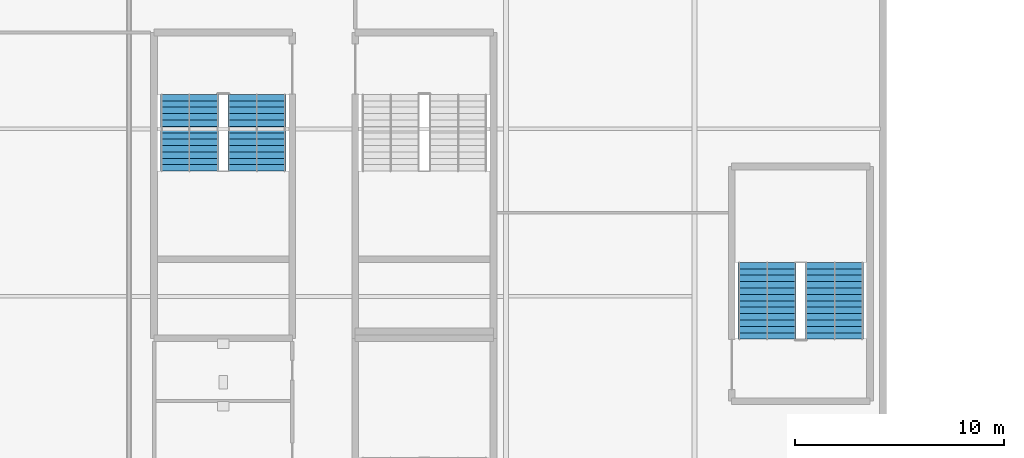
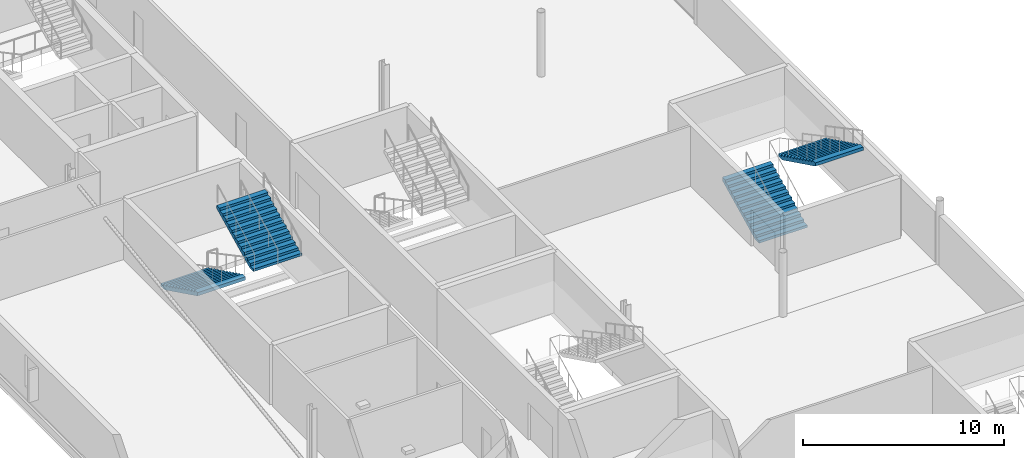
# One storey, part 82 of 96: 4 stair flights, 2 elements without a shape of their own.
"""IFC4 building model written with IfcOpenShell, lengths in metres."""

from ifc_helpers import new_model, si_unit, direction, frame, origin, place, context, subcontext, project, spatial, polygons, material, type_object, element, aggregate, save


model = new_model("IFC4")

# Units and contexts
model_context = context("Model", 3, precision=1e-05, world=origin(), true_north=direction((0.0, 1.0)))
body_context = subcontext(model_context, "Body", "Model", "MODEL_VIEW")
ifc_project = project(units=[si_unit("LENGTHUNIT", "METRE"), si_unit("AREAUNIT", "SQUARE_METRE"), si_unit("VOLUMEUNIT", "CUBIC_METRE"), si_unit("PLANEANGLEUNIT", "RADIAN"), si_unit("MASSUNIT", "GRAM", prefix="KILO")], contexts=[model_context])

# Site, building, storey
site_placement = place(None, origin())
site = spatial("IfcSite", under=ifc_project, at=site_placement, CompositionType="ELEMENT")
building_placement = place(site_placement, origin())
building = spatial("IfcBuilding", under=site, at=building_placement, Name="Kisiwana Market Hall", CompositionType="ELEMENT")
storey_placement = place(building_placement, frame((0.0, 0.0, 25.5)))
storey = spatial("IfcBuildingStorey", under=building, at=storey_placement, Name="L05", CompositionType="ELEMENT", Elevation=25.5)

# Stair, stair flights
ifc_material_1 = material(Name="Concrete C32/40", Category="concrete")
stair_type = type_object("IfcStairType", Name="ST-ESC-3900", PredefinedType="TWO_STRAIGHT_RUN_STAIR", material=ifc_material_1)
stair_1_placement = place(storey_placement, origin())
stair_1 = element("IfcStair", 1, at=stair_1_placement, inside=storey, type_object=stair_type, Name="Escape stair ST-W4-L05", PredefinedType="TWO_STRAIGHT_RUN_STAIR")
ifc_material_2 = material(Name="Concrete C32/40", Category="concrete")
stair_flight_type = type_object("IfcStairFlightType", Name="SF-ESC-3900", PredefinedType="STRAIGHT", material=ifc_material_2)
stair_flight_1_placement = place(storey_placement, frame((11.889892578125, 77.639892578125, 0.0), z_axis=(0.0, 0.0, 1.0), x_axis=(0.0, -1.0, 0.0)))
stair_flight_1 = element("IfcStairFlight", 2, at=stair_flight_1_placement, type_object=stair_flight_type, Name="ST-W4-L05 flight 1", NumberOfRisers=13, NumberOfTreads=12, PredefinedType="STRAIGHT", RiserHeight=0.15, TreadLength=0.305, context=body_context, shape_type="Tessellation", body=[
    polygons([(0.0, -1.380127, 0.0), (0.0, -0.690125, 0.0), (0.0, -0.000122, 0.0), (0.0, 0.68988, 0.0), (0.0, 1.379883, 0.0), (0.0, -1.380127, 0.149902), (0.0, -0.690125, 0.149902), (0.0, -0.000122, 0.149902), (0.0, 0.68988, 0.149902), (0.0, 1.379883, 0.149902), (0.304932, -1.380127, 0.149902), (0.304932, -0.690125, 0.149902), (0.304932, -0.000122, 0.149902), (0.304932, 0.68988, 0.149902), (0.304932, 1.379883, 0.149902), (0.304932, -1.380127, 0.300049), (0.304932, -0.690125, 0.300049), (0.304932, -0.000122, 0.300049), (0.304932, 0.68988, 0.300049), (0.304932, 1.379883, 0.300049), (0.610107, -1.380127, 0.300049), (0.610107, -0.690125, 0.300049), (0.610107, -0.000122, 0.300049), (0.610107, 0.68988, 0.300049), (0.610107, 1.379883, 0.300049), (0.610107, -1.380127, 0.449951), (0.610107, -0.690125, 0.449951), (0.610107, -0.000122, 0.449951), (0.610107, 0.68988, 0.449951), (0.610107, 1.379883, 0.449951), (0.915039, -1.380127, 0.449951), (0.915039, -0.690125, 0.449951), (0.915039, -0.000122, 0.449951), (0.915039, 0.68988, 0.449951), (0.915039, 1.379883, 0.449951), (0.915039, -1.380127, 0.600098), (0.915039, -0.690125, 0.600098), (0.915039, -0.000122, 0.600098), (0.915039, 0.68988, 0.600098), (0.915039, 1.379883, 0.600098), (1.219971, -1.380127, 0.600098), (1.219971, -0.690125, 0.600098), (1.219971, -0.000122, 0.600098), (1.219971, 0.68988, 0.600098), (1.219971, 1.379883, 0.600098), (1.219971, -1.380127, 0.75), (1.219971, -0.690125, 0.75), (1.219971, -0.000122, 0.75), (1.219971, 0.68988, 0.75), (1.219971, 1.379883, 0.75), (1.524902, -1.380127, 0.75), (1.524902, -0.690125, 0.75), (1.524902, -0.000122, 0.75), (1.524902, 0.68988, 0.75), (1.524902, 1.379883, 0.75), (1.524902, -1.380127, 0.899902), (1.524902, -0.690125, 0.899902), (1.524902, -0.000122, 0.899902), (1.524902, 0.68988, 0.899902), (1.524902, 1.379883, 0.899902), (1.830078, -1.380127, 0.899902), (1.830078, -0.690125, 0.899902), (1.830078, -0.000122, 0.899902), (1.830078, 0.68988, 0.899902), (1.830078, 1.379883, 0.899902), (1.830078, -1.380127, 1.050049), (1.830078, -0.690125, 1.050049), (1.830078, -0.000122, 1.050049), (1.830078, 0.68988, 1.050049), (1.830078, 1.379883, 1.050049), (2.13501, -1.380127, 1.050049), (2.13501, -0.690125, 1.050049), (2.13501, -0.000122, 1.050049), (2.13501, 0.68988, 1.050049), (2.13501, 1.379883, 1.050049), (2.13501, -1.380127, 1.199951), (2.13501, -0.690125, 1.199951), (2.13501, -0.000122, 1.199951), (2.13501, 0.68988, 1.199951), (2.13501, 1.379883, 1.199951), (2.439941, -1.380127, 1.199951), (2.439941, -0.690125, 1.199951), (2.439941, -0.000122, 1.199951), (2.439941, 0.68988, 1.199951), (2.439941, 1.379883, 1.199951), (2.439941, -1.380127, 1.350098), (2.439941, -0.690125, 1.350098), (2.439941, -0.000122, 1.350098), (2.439941, 0.68988, 1.350098), (2.439941, 1.379883, 1.350098), (2.745117, -1.380127, 1.350098), (2.745117, -0.690125, 1.350098), (2.745117, -0.000122, 1.350098), (2.745117, 0.68988, 1.350098), (2.745117, 1.379883, 1.350098), (2.745117, -1.380127, 1.5), (2.745117, -0.690125, 1.5), (2.745117, -0.000122, 1.5), (2.745117, 0.68988, 1.5), (2.745117, 1.379883, 1.5), (3.050049, -1.380127, 1.5), (3.050049, -0.690125, 1.5), (3.050049, -0.000122, 1.5), (3.050049, 0.68988, 1.5), (3.050049, 1.379883, 1.5), (3.050049, -1.380127, 1.649902), (3.050049, -0.690125, 1.649902), (3.050049, -0.000122, 1.649902), (3.050049, 0.68988, 1.649902), (3.050049, 1.379883, 1.649902), (3.35498, -1.380127, 1.649902), (3.35498, -0.690125, 1.649902), (3.35498, -0.000122, 1.649902), (3.35498, 0.68988, 1.649902), (3.35498, 1.379883, 1.649902), (3.35498, -1.380127, 1.800049), (3.35498, -0.690125, 1.800049), (3.35498, -0.000122, 1.800049), (3.35498, 0.68988, 1.800049), (3.35498, 1.379883, 1.800049), (3.659912, -1.380127, 1.800049), (3.659912, -0.690125, 1.800049), (3.659912, -0.000122, 1.800049), (3.659912, 0.68988, 1.800049), (3.659912, 1.379883, 1.800049), (3.659912, -1.380127, 1.599365), (3.659912, -0.690125, 1.599365), (3.659912, -0.000122, 1.599365), (3.659912, 0.68988, 1.599365), (3.659912, 1.379883, 1.599365), (0.407715, -1.380127, 0.0), (0.407715, -0.690125, 0.0), (0.407715, -0.000122, 0.0), (0.407715, 0.68988, 0.0), (0.407715, 1.379883, 0.0)], [[[1, 6, 7, 2]], [[2, 7, 8, 3]], [[3, 8, 9, 4]], [[4, 9, 10, 5]], [[6, 11, 12, 7]], [[7, 12, 13, 8]], [[8, 13, 14, 9]], [[9, 14, 15, 10]], [[11, 16, 17, 12]], [[12, 17, 18, 13]], [[13, 18, 19, 14]], [[14, 19, 20, 15]], [[16, 21, 22, 17]], [[17, 22, 23, 18]], [[18, 23, 24, 19]], [[19, 24, 25, 20]], [[21, 26, 27, 22]], [[22, 27, 28, 23]], [[23, 28, 29, 24]], [[24, 29, 30, 25]], [[26, 31, 32, 27]], [[27, 32, 33, 28]], [[28, 33, 34, 29]], [[29, 34, 35, 30]], [[31, 36, 37, 32]], [[32, 37, 38, 33]], [[33, 38, 39, 34]], [[34, 39, 40, 35]], [[36, 41, 42, 37]], [[37, 42, 43, 38]], [[38, 43, 44, 39]], [[39, 44, 45, 40]], [[41, 46, 47, 42]], [[42, 47, 48, 43]], [[43, 48, 49, 44]], [[44, 49, 50, 45]], [[46, 51, 52, 47]], [[47, 52, 53, 48]], [[48, 53, 54, 49]], [[49, 54, 55, 50]], [[51, 56, 57, 52]], [[52, 57, 58, 53]], [[53, 58, 59, 54]], [[54, 59, 60, 55]], [[56, 61, 62, 57]], [[57, 62, 63, 58]], [[58, 63, 64, 59]], [[59, 64, 65, 60]], [[61, 66, 67, 62]], [[62, 67, 68, 63]], [[63, 68, 69, 64]], [[64, 69, 70, 65]], [[66, 71, 72, 67]], [[67, 72, 73, 68]], [[68, 73, 74, 69]], [[69, 74, 75, 70]], [[71, 76, 77, 72]], [[72, 77, 78, 73]], [[73, 78, 79, 74]], [[74, 79, 80, 75]], [[76, 81, 82, 77]], [[77, 82, 83, 78]], [[78, 83, 84, 79]], [[79, 84, 85, 80]], [[81, 86, 87, 82]], [[82, 87, 88, 83]], [[83, 88, 89, 84]], [[84, 89, 90, 85]], [[86, 91, 92, 87]], [[87, 92, 93, 88]], [[88, 93, 94, 89]], [[89, 94, 95, 90]], [[91, 96, 97, 92]], [[92, 97, 98, 93]], [[93, 98, 99, 94]], [[94, 99, 100, 95]], [[96, 101, 102, 97]], [[97, 102, 103, 98]], [[98, 103, 104, 99]], [[99, 104, 105, 100]], [[101, 106, 107, 102]], [[102, 107, 108, 103]], [[103, 108, 109, 104]], [[104, 109, 110, 105]], [[106, 111, 112, 107]], [[107, 112, 113, 108]], [[108, 113, 114, 109]], [[109, 114, 115, 110]], [[111, 116, 117, 112]], [[112, 117, 118, 113]], [[113, 118, 119, 114]], [[114, 119, 120, 115]], [[116, 121, 122, 117]], [[117, 122, 123, 118]], [[118, 123, 124, 119]], [[119, 124, 125, 120]], [[121, 126, 127, 122]], [[122, 127, 128, 123]], [[123, 128, 129, 124]], [[124, 129, 130, 125]], [[126, 131, 132, 127]], [[127, 132, 133, 128]], [[128, 133, 134, 129]], [[129, 134, 135, 130]], [[131, 1, 2, 132]], [[132, 2, 3, 133]], [[133, 3, 4, 134]], [[134, 4, 5, 135]], [[131, 126, 121, 116, 111, 106, 101, 96, 91, 86, 81, 76, 71, 66, 61, 56, 51, 46, 41, 36, 31, 26, 21, 16, 11, 6, 1]], [[5, 10, 15, 20, 25, 30, 35, 40, 45, 50, 55, 60, 65, 70, 75, 80, 85, 90, 95, 100, 105, 110, 115, 120, 125, 130, 135]]], closed=True),
])
stair_flight_2_placement = place(storey_placement, frame((15.110107421875, 73.97998046875, 1.949951171875), z_axis=(0.0, 0.0, 1.0), x_axis=(0.0, 1.0, 0.0)))
stair_flight_2 = element("IfcStairFlight", 3, at=stair_flight_2_placement, type_object=stair_flight_type, Name="ST-W4-L05 flight 2", NumberOfRisers=13, NumberOfTreads=12, PredefinedType="STRAIGHT", RiserHeight=0.15, TreadLength=0.305, context=body_context, shape_type="Tessellation", body=[
    polygons([(0.0, -1.380127, 0.0), (0.0, -0.690125, 0.0), (0.0, -0.000122, 0.0), (0.0, 0.68988, 0.0), (0.0, 1.379883, 0.0), (0.0, -1.380127, 0.149902), (0.0, -0.690125, 0.149902), (0.0, -0.000122, 0.149902), (0.0, 0.68988, 0.149902), (0.0, 1.379883, 0.149902), (0.304932, -1.380127, 0.149902), (0.304932, -0.690125, 0.149902), (0.304932, -0.000122, 0.149902), (0.304932, 0.68988, 0.149902), (0.304932, 1.379883, 0.149902), (0.304932, -1.380127, 0.300049), (0.304932, -0.690125, 0.300049), (0.304932, -0.000122, 0.300049), (0.304932, 0.68988, 0.300049), (0.304932, 1.379883, 0.300049), (0.610107, -1.380127, 0.300049), (0.610107, -0.690125, 0.300049), (0.610107, -0.000122, 0.300049), (0.610107, 0.68988, 0.300049), (0.610107, 1.379883, 0.300049), (0.610107, -1.380127, 0.449951), (0.610107, -0.690125, 0.449951), (0.610107, -0.000122, 0.449951), (0.610107, 0.68988, 0.449951), (0.610107, 1.379883, 0.449951), (0.915039, -1.380127, 0.449951), (0.915039, -0.690125, 0.449951), (0.915039, -0.000122, 0.449951), (0.915039, 0.68988, 0.449951), (0.915039, 1.379883, 0.449951), (0.915039, -1.380127, 0.600098), (0.915039, -0.690125, 0.600098), (0.915039, -0.000122, 0.600098), (0.915039, 0.68988, 0.600098), (0.915039, 1.379883, 0.600098), (1.219971, -1.380127, 0.600098), (1.219971, -0.690125, 0.600098), (1.219971, -0.000122, 0.600098), (1.219971, 0.68988, 0.600098), (1.219971, 1.379883, 0.600098), (1.219971, -1.380127, 0.75), (1.219971, -0.690125, 0.75), (1.219971, -0.000122, 0.75), (1.219971, 0.68988, 0.75), (1.219971, 1.379883, 0.75), (1.524902, -1.380127, 0.75), (1.524902, -0.690125, 0.75), (1.524902, -0.000122, 0.75), (1.524902, 0.68988, 0.75), (1.524902, 1.379883, 0.75), (1.524902, -1.380127, 0.899902), (1.524902, -0.690125, 0.899902), (1.524902, -0.000122, 0.899902), (1.524902, 0.68988, 0.899902), (1.524902, 1.379883, 0.899902), (1.830078, -1.380127, 0.899902), (1.830078, -0.690125, 0.899902), (1.830078, -0.000122, 0.899902), (1.830078, 0.68988, 0.899902), (1.830078, 1.379883, 0.899902), (1.830078, -1.380127, 1.050049), (1.830078, -0.690125, 1.050049), (1.830078, -0.000122, 1.050049), (1.830078, 0.68988, 1.050049), (1.830078, 1.379883, 1.050049), (2.13501, -1.380127, 1.050049), (2.13501, -0.690125, 1.050049), (2.13501, -0.000122, 1.050049), (2.13501, 0.68988, 1.050049), (2.13501, 1.379883, 1.050049), (2.13501, -1.380127, 1.199951), (2.13501, -0.690125, 1.199951), (2.13501, -0.000122, 1.199951), (2.13501, 0.68988, 1.199951), (2.13501, 1.379883, 1.199951), (2.439941, -1.380127, 1.199951), (2.439941, -0.690125, 1.199951), (2.439941, -0.000122, 1.199951), (2.439941, 0.68988, 1.199951), (2.439941, 1.379883, 1.199951), (2.439941, -1.380127, 1.350098), (2.439941, -0.690125, 1.350098), (2.439941, -0.000122, 1.350098), (2.439941, 0.68988, 1.350098), (2.439941, 1.379883, 1.350098), (2.745117, -1.380127, 1.350098), (2.745117, -0.690125, 1.350098), (2.745117, -0.000122, 1.350098), (2.745117, 0.68988, 1.350098), (2.745117, 1.379883, 1.350098), (2.745117, -1.380127, 1.5), (2.745117, -0.690125, 1.5), (2.745117, -0.000122, 1.5), (2.745117, 0.68988, 1.5), (2.745117, 1.379883, 1.5), (3.050049, -1.380127, 1.5), (3.050049, -0.690125, 1.5), (3.050049, -0.000122, 1.5), (3.050049, 0.68988, 1.5), (3.050049, 1.379883, 1.5), (3.050049, -1.380127, 1.649902), (3.050049, -0.690125, 1.649902), (3.050049, -0.000122, 1.649902), (3.050049, 0.68988, 1.649902), (3.050049, 1.379883, 1.649902), (3.35498, -1.380127, 1.649902), (3.35498, -0.690125, 1.649902), (3.35498, -0.000122, 1.649902), (3.35498, 0.68988, 1.649902), (3.35498, 1.379883, 1.649902), (3.35498, -1.380127, 1.800049), (3.35498, -0.690125, 1.800049), (3.35498, -0.000122, 1.800049), (3.35498, 0.68988, 1.800049), (3.35498, 1.379883, 1.800049), (3.659912, -1.380127, 1.800049), (3.659912, -0.690125, 1.800049), (3.659912, -0.000122, 1.800049), (3.659912, 0.68988, 1.800049), (3.659912, 1.379883, 1.800049), (3.659912, -1.380127, 1.599365), (3.659912, -0.690125, 1.599365), (3.659912, -0.000122, 1.599365), (3.659912, 0.68988, 1.599365), (3.659912, 1.379883, 1.599365), (0.407715, -1.380127, 0.0), (0.407715, -0.690125, 0.0), (0.407715, -0.000122, 0.0), (0.407715, 0.68988, 0.0), (0.407715, 1.379883, 0.0)], [[[1, 6, 7, 2]], [[2, 7, 8, 3]], [[3, 8, 9, 4]], [[4, 9, 10, 5]], [[6, 11, 12, 7]], [[7, 12, 13, 8]], [[8, 13, 14, 9]], [[9, 14, 15, 10]], [[11, 16, 17, 12]], [[12, 17, 18, 13]], [[13, 18, 19, 14]], [[14, 19, 20, 15]], [[16, 21, 22, 17]], [[17, 22, 23, 18]], [[18, 23, 24, 19]], [[19, 24, 25, 20]], [[21, 26, 27, 22]], [[22, 27, 28, 23]], [[23, 28, 29, 24]], [[24, 29, 30, 25]], [[26, 31, 32, 27]], [[27, 32, 33, 28]], [[28, 33, 34, 29]], [[29, 34, 35, 30]], [[31, 36, 37, 32]], [[32, 37, 38, 33]], [[33, 38, 39, 34]], [[34, 39, 40, 35]], [[36, 41, 42, 37]], [[37, 42, 43, 38]], [[38, 43, 44, 39]], [[39, 44, 45, 40]], [[41, 46, 47, 42]], [[42, 47, 48, 43]], [[43, 48, 49, 44]], [[44, 49, 50, 45]], [[46, 51, 52, 47]], [[47, 52, 53, 48]], [[48, 53, 54, 49]], [[49, 54, 55, 50]], [[51, 56, 57, 52]], [[52, 57, 58, 53]], [[53, 58, 59, 54]], [[54, 59, 60, 55]], [[56, 61, 62, 57]], [[57, 62, 63, 58]], [[58, 63, 64, 59]], [[59, 64, 65, 60]], [[61, 66, 67, 62]], [[62, 67, 68, 63]], [[63, 68, 69, 64]], [[64, 69, 70, 65]], [[66, 71, 72, 67]], [[67, 72, 73, 68]], [[68, 73, 74, 69]], [[69, 74, 75, 70]], [[71, 76, 77, 72]], [[72, 77, 78, 73]], [[73, 78, 79, 74]], [[74, 79, 80, 75]], [[76, 81, 82, 77]], [[77, 82, 83, 78]], [[78, 83, 84, 79]], [[79, 84, 85, 80]], [[81, 86, 87, 82]], [[82, 87, 88, 83]], [[83, 88, 89, 84]], [[84, 89, 90, 85]], [[86, 91, 92, 87]], [[87, 92, 93, 88]], [[88, 93, 94, 89]], [[89, 94, 95, 90]], [[91, 96, 97, 92]], [[92, 97, 98, 93]], [[93, 98, 99, 94]], [[94, 99, 100, 95]], [[96, 101, 102, 97]], [[97, 102, 103, 98]], [[98, 103, 104, 99]], [[99, 104, 105, 100]], [[101, 106, 107, 102]], [[102, 107, 108, 103]], [[103, 108, 109, 104]], [[104, 109, 110, 105]], [[106, 111, 112, 107]], [[107, 112, 113, 108]], [[108, 113, 114, 109]], [[109, 114, 115, 110]], [[111, 116, 117, 112]], [[112, 117, 118, 113]], [[113, 118, 119, 114]], [[114, 119, 120, 115]], [[116, 121, 122, 117]], [[117, 122, 123, 118]], [[118, 123, 124, 119]], [[119, 124, 125, 120]], [[121, 126, 127, 122]], [[122, 127, 128, 123]], [[123, 128, 129, 124]], [[124, 129, 130, 125]], [[126, 131, 132, 127]], [[127, 132, 133, 128]], [[128, 133, 134, 129]], [[129, 134, 135, 130]], [[131, 1, 2, 132]], [[132, 2, 3, 133]], [[133, 3, 4, 134]], [[134, 4, 5, 135]], [[131, 126, 121, 116, 111, 106, 101, 96, 91, 86, 81, 76, 71, 66, 61, 56, 51, 46, 41, 36, 31, 26, 21, 16, 11, 6, 1]], [[5, 10, 15, 20, 25, 30, 35, 40, 45, 50, 55, 60, 65, 70, 75, 80, 85, 90, 95, 100, 105, 110, 115, 120, 125, 130, 135]]], closed=True),
])
aggregate(stair_1, [stair_flight_1, stair_flight_2])

stair_2_placement = place(storey_placement, origin())
stair_2 = element("IfcStair", 4, at=stair_2_placement, inside=storey, type_object=stair_type, Name="Escape stair ST-W10-L05", PredefinedType="TWO_STRAIGHT_RUN_STAIR")
stair_flight_3_placement = place(storey_placement, frame((39.4599609375, 65.9599609375, 0.0), z_axis=(0.0, 0.0, 1.0), x_axis=(0.0, 1.0, 0.0)))
stair_flight_3 = element("IfcStairFlight", 5, at=stair_flight_3_placement, type_object=stair_flight_type, Name="ST-W10-L05 flight 1", NumberOfRisers=13, NumberOfTreads=12, PredefinedType="STRAIGHT", RiserHeight=0.15, TreadLength=0.305, context=body_context, shape_type="Tessellation", body=[
    polygons([(0.0, -1.380127, 0.0), (0.0, -0.690125, 0.0), (0.0, -0.000122, 0.0), (0.0, 0.68988, 0.0), (0.0, 1.379883, 0.0), (0.0, -1.380127, 0.149902), (0.0, -0.690125, 0.149902), (0.0, -0.000122, 0.149902), (0.0, 0.68988, 0.149902), (0.0, 1.379883, 0.149902), (0.304932, -1.380127, 0.149902), (0.304932, -0.690125, 0.149902), (0.304932, -0.000122, 0.149902), (0.304932, 0.68988, 0.149902), (0.304932, 1.379883, 0.149902), (0.304932, -1.380127, 0.300049), (0.304932, -0.690125, 0.300049), (0.304932, -0.000122, 0.300049), (0.304932, 0.68988, 0.300049), (0.304932, 1.379883, 0.300049), (0.610107, -1.380127, 0.300049), (0.610107, -0.690125, 0.300049), (0.610107, -0.000122, 0.300049), (0.610107, 0.68988, 0.300049), (0.610107, 1.379883, 0.300049), (0.610107, -1.380127, 0.449951), (0.610107, -0.690125, 0.449951), (0.610107, -0.000122, 0.449951), (0.610107, 0.68988, 0.449951), (0.610107, 1.379883, 0.449951), (0.915039, -1.380127, 0.449951), (0.915039, -0.690125, 0.449951), (0.915039, -0.000122, 0.449951), (0.915039, 0.68988, 0.449951), (0.915039, 1.379883, 0.449951), (0.915039, -1.380127, 0.600098), (0.915039, -0.690125, 0.600098), (0.915039, -0.000122, 0.600098), (0.915039, 0.68988, 0.600098), (0.915039, 1.379883, 0.600098), (1.219971, -1.380127, 0.600098), (1.219971, -0.690125, 0.600098), (1.219971, -0.000122, 0.600098), (1.219971, 0.68988, 0.600098), (1.219971, 1.379883, 0.600098), (1.219971, -1.380127, 0.75), (1.219971, -0.690125, 0.75), (1.219971, -0.000122, 0.75), (1.219971, 0.68988, 0.75), (1.219971, 1.379883, 0.75), (1.524902, -1.380127, 0.75), (1.524902, -0.690125, 0.75), (1.524902, -0.000122, 0.75), (1.524902, 0.68988, 0.75), (1.524902, 1.379883, 0.75), (1.524902, -1.380127, 0.899902), (1.524902, -0.690125, 0.899902), (1.524902, -0.000122, 0.899902), (1.524902, 0.68988, 0.899902), (1.524902, 1.379883, 0.899902), (1.830078, -1.380127, 0.899902), (1.830078, -0.690125, 0.899902), (1.830078, -0.000122, 0.899902), (1.830078, 0.68988, 0.899902), (1.830078, 1.379883, 0.899902), (1.830078, -1.380127, 1.050049), (1.830078, -0.690125, 1.050049), (1.830078, -0.000122, 1.050049), (1.830078, 0.68988, 1.050049), (1.830078, 1.379883, 1.050049), (2.13501, -1.380127, 1.050049), (2.13501, -0.690125, 1.050049), (2.13501, -0.000122, 1.050049), (2.13501, 0.68988, 1.050049), (2.13501, 1.379883, 1.050049), (2.13501, -1.380127, 1.199951), (2.13501, -0.690125, 1.199951), (2.13501, -0.000122, 1.199951), (2.13501, 0.68988, 1.199951), (2.13501, 1.379883, 1.199951), (2.439941, -1.380127, 1.199951), (2.439941, -0.690125, 1.199951), (2.439941, -0.000122, 1.199951), (2.439941, 0.68988, 1.199951), (2.439941, 1.379883, 1.199951), (2.439941, -1.380127, 1.350098), (2.439941, -0.690125, 1.350098), (2.439941, -0.000122, 1.350098), (2.439941, 0.68988, 1.350098), (2.439941, 1.379883, 1.350098), (2.745117, -1.380127, 1.350098), (2.745117, -0.690125, 1.350098), (2.745117, -0.000122, 1.350098), (2.745117, 0.68988, 1.350098), (2.745117, 1.379883, 1.350098), (2.745117, -1.380127, 1.5), (2.745117, -0.690125, 1.5), (2.745117, -0.000122, 1.5), (2.745117, 0.68988, 1.5), (2.745117, 1.379883, 1.5), (3.050049, -1.380127, 1.5), (3.050049, -0.690125, 1.5), (3.050049, -0.000122, 1.5), (3.050049, 0.68988, 1.5), (3.050049, 1.379883, 1.5), (3.050049, -1.380127, 1.649902), (3.050049, -0.690125, 1.649902), (3.050049, -0.000122, 1.649902), (3.050049, 0.68988, 1.649902), (3.050049, 1.379883, 1.649902), (3.35498, -1.380127, 1.649902), (3.35498, -0.690125, 1.649902), (3.35498, -0.000122, 1.649902), (3.35498, 0.68988, 1.649902), (3.35498, 1.379883, 1.649902), (3.35498, -1.380127, 1.800049), (3.35498, -0.690125, 1.800049), (3.35498, -0.000122, 1.800049), (3.35498, 0.68988, 1.800049), (3.35498, 1.379883, 1.800049), (3.659912, -1.380127, 1.800049), (3.659912, -0.690125, 1.800049), (3.659912, -0.000122, 1.800049), (3.659912, 0.68988, 1.800049), (3.659912, 1.379883, 1.800049), (3.659912, -1.380127, 1.599365), (3.659912, -0.690125, 1.599365), (3.659912, -0.000122, 1.599365), (3.659912, 0.68988, 1.599365), (3.659912, 1.379883, 1.599365), (0.407715, -1.380127, 0.0), (0.407715, -0.690125, 0.0), (0.407715, -0.000122, 0.0), (0.407715, 0.68988, 0.0), (0.407715, 1.379883, 0.0)], [[[1, 6, 7, 2]], [[2, 7, 8, 3]], [[3, 8, 9, 4]], [[4, 9, 10, 5]], [[6, 11, 12, 7]], [[7, 12, 13, 8]], [[8, 13, 14, 9]], [[9, 14, 15, 10]], [[11, 16, 17, 12]], [[12, 17, 18, 13]], [[13, 18, 19, 14]], [[14, 19, 20, 15]], [[16, 21, 22, 17]], [[17, 22, 23, 18]], [[18, 23, 24, 19]], [[19, 24, 25, 20]], [[21, 26, 27, 22]], [[22, 27, 28, 23]], [[23, 28, 29, 24]], [[24, 29, 30, 25]], [[26, 31, 32, 27]], [[27, 32, 33, 28]], [[28, 33, 34, 29]], [[29, 34, 35, 30]], [[31, 36, 37, 32]], [[32, 37, 38, 33]], [[33, 38, 39, 34]], [[34, 39, 40, 35]], [[36, 41, 42, 37]], [[37, 42, 43, 38]], [[38, 43, 44, 39]], [[39, 44, 45, 40]], [[41, 46, 47, 42]], [[42, 47, 48, 43]], [[43, 48, 49, 44]], [[44, 49, 50, 45]], [[46, 51, 52, 47]], [[47, 52, 53, 48]], [[48, 53, 54, 49]], [[49, 54, 55, 50]], [[51, 56, 57, 52]], [[52, 57, 58, 53]], [[53, 58, 59, 54]], [[54, 59, 60, 55]], [[56, 61, 62, 57]], [[57, 62, 63, 58]], [[58, 63, 64, 59]], [[59, 64, 65, 60]], [[61, 66, 67, 62]], [[62, 67, 68, 63]], [[63, 68, 69, 64]], [[64, 69, 70, 65]], [[66, 71, 72, 67]], [[67, 72, 73, 68]], [[68, 73, 74, 69]], [[69, 74, 75, 70]], [[71, 76, 77, 72]], [[72, 77, 78, 73]], [[73, 78, 79, 74]], [[74, 79, 80, 75]], [[76, 81, 82, 77]], [[77, 82, 83, 78]], [[78, 83, 84, 79]], [[79, 84, 85, 80]], [[81, 86, 87, 82]], [[82, 87, 88, 83]], [[83, 88, 89, 84]], [[84, 89, 90, 85]], [[86, 91, 92, 87]], [[87, 92, 93, 88]], [[88, 93, 94, 89]], [[89, 94, 95, 90]], [[91, 96, 97, 92]], [[92, 97, 98, 93]], [[93, 98, 99, 94]], [[94, 99, 100, 95]], [[96, 101, 102, 97]], [[97, 102, 103, 98]], [[98, 103, 104, 99]], [[99, 104, 105, 100]], [[101, 106, 107, 102]], [[102, 107, 108, 103]], [[103, 108, 109, 104]], [[104, 109, 110, 105]], [[106, 111, 112, 107]], [[107, 112, 113, 108]], [[108, 113, 114, 109]], [[109, 114, 115, 110]], [[111, 116, 117, 112]], [[112, 117, 118, 113]], [[113, 118, 119, 114]], [[114, 119, 120, 115]], [[116, 121, 122, 117]], [[117, 122, 123, 118]], [[118, 123, 124, 119]], [[119, 124, 125, 120]], [[121, 126, 127, 122]], [[122, 127, 128, 123]], [[123, 128, 129, 124]], [[124, 129, 130, 125]], [[126, 131, 132, 127]], [[127, 132, 133, 128]], [[128, 133, 134, 129]], [[129, 134, 135, 130]], [[131, 1, 2, 132]], [[132, 2, 3, 133]], [[133, 3, 4, 134]], [[134, 4, 5, 135]], [[131, 126, 121, 116, 111, 106, 101, 96, 91, 86, 81, 76, 71, 66, 61, 56, 51, 46, 41, 36, 31, 26, 21, 16, 11, 6, 1]], [[5, 10, 15, 20, 25, 30, 35, 40, 45, 50, 55, 60, 65, 70, 75, 80, 85, 90, 95, 100, 105, 110, 115, 120, 125, 130, 135]]], closed=True),
])
stair_flight_4_placement = place(storey_placement, frame((42.679931640625, 69.6201171875, 1.949951171875), z_axis=(0.0, 0.0, 1.0), x_axis=(0.0, -1.0, 0.0)))
stair_flight_4 = element("IfcStairFlight", 6, at=stair_flight_4_placement, type_object=stair_flight_type, Name="ST-W10-L05 flight 2", NumberOfRisers=13, NumberOfTreads=12, PredefinedType="STRAIGHT", RiserHeight=0.15, TreadLength=0.305, context=body_context, shape_type="Tessellation", body=[
    polygons([(0.0, -1.380127, 0.0), (0.0, -0.690125, 0.0), (0.0, -0.000122, 0.0), (0.0, 0.68988, 0.0), (0.0, 1.379883, 0.0), (0.0, -1.380127, 0.149902), (0.0, -0.690125, 0.149902), (0.0, -0.000122, 0.149902), (0.0, 0.68988, 0.149902), (0.0, 1.379883, 0.149902), (0.304932, -1.380127, 0.149902), (0.304932, -0.690125, 0.149902), (0.304932, -0.000122, 0.149902), (0.304932, 0.68988, 0.149902), (0.304932, 1.379883, 0.149902), (0.304932, -1.380127, 0.300049), (0.304932, -0.690125, 0.300049), (0.304932, -0.000122, 0.300049), (0.304932, 0.68988, 0.300049), (0.304932, 1.379883, 0.300049), (0.610107, -1.380127, 0.300049), (0.610107, -0.690125, 0.300049), (0.610107, -0.000122, 0.300049), (0.610107, 0.68988, 0.300049), (0.610107, 1.379883, 0.300049), (0.610107, -1.380127, 0.449951), (0.610107, -0.690125, 0.449951), (0.610107, -0.000122, 0.449951), (0.610107, 0.68988, 0.449951), (0.610107, 1.379883, 0.449951), (0.915039, -1.380127, 0.449951), (0.915039, -0.690125, 0.449951), (0.915039, -0.000122, 0.449951), (0.915039, 0.68988, 0.449951), (0.915039, 1.379883, 0.449951), (0.915039, -1.380127, 0.600098), (0.915039, -0.690125, 0.600098), (0.915039, -0.000122, 0.600098), (0.915039, 0.68988, 0.600098), (0.915039, 1.379883, 0.600098), (1.219971, -1.380127, 0.600098), (1.219971, -0.690125, 0.600098), (1.219971, -0.000122, 0.600098), (1.219971, 0.68988, 0.600098), (1.219971, 1.379883, 0.600098), (1.219971, -1.380127, 0.75), (1.219971, -0.690125, 0.75), (1.219971, -0.000122, 0.75), (1.219971, 0.68988, 0.75), (1.219971, 1.379883, 0.75), (1.524902, -1.380127, 0.75), (1.524902, -0.690125, 0.75), (1.524902, -0.000122, 0.75), (1.524902, 0.68988, 0.75), (1.524902, 1.379883, 0.75), (1.524902, -1.380127, 0.899902), (1.524902, -0.690125, 0.899902), (1.524902, -0.000122, 0.899902), (1.524902, 0.68988, 0.899902), (1.524902, 1.379883, 0.899902), (1.830078, -1.380127, 0.899902), (1.830078, -0.690125, 0.899902), (1.830078, -0.000122, 0.899902), (1.830078, 0.68988, 0.899902), (1.830078, 1.379883, 0.899902), (1.830078, -1.380127, 1.050049), (1.830078, -0.690125, 1.050049), (1.830078, -0.000122, 1.050049), (1.830078, 0.68988, 1.050049), (1.830078, 1.379883, 1.050049), (2.13501, -1.380127, 1.050049), (2.13501, -0.690125, 1.050049), (2.13501, -0.000122, 1.050049), (2.13501, 0.68988, 1.050049), (2.13501, 1.379883, 1.050049), (2.13501, -1.380127, 1.199951), (2.13501, -0.690125, 1.199951), (2.13501, -0.000122, 1.199951), (2.13501, 0.68988, 1.199951), (2.13501, 1.379883, 1.199951), (2.439941, -1.380127, 1.199951), (2.439941, -0.690125, 1.199951), (2.439941, -0.000122, 1.199951), (2.439941, 0.68988, 1.199951), (2.439941, 1.379883, 1.199951), (2.439941, -1.380127, 1.350098), (2.439941, -0.690125, 1.350098), (2.439941, -0.000122, 1.350098), (2.439941, 0.68988, 1.350098), (2.439941, 1.379883, 1.350098), (2.745117, -1.380127, 1.350098), (2.745117, -0.690125, 1.350098), (2.745117, -0.000122, 1.350098), (2.745117, 0.68988, 1.350098), (2.745117, 1.379883, 1.350098), (2.745117, -1.380127, 1.5), (2.745117, -0.690125, 1.5), (2.745117, -0.000122, 1.5), (2.745117, 0.68988, 1.5), (2.745117, 1.379883, 1.5), (3.050049, -1.380127, 1.5), (3.050049, -0.690125, 1.5), (3.050049, -0.000122, 1.5), (3.050049, 0.68988, 1.5), (3.050049, 1.379883, 1.5), (3.050049, -1.380127, 1.649902), (3.050049, -0.690125, 1.649902), (3.050049, -0.000122, 1.649902), (3.050049, 0.68988, 1.649902), (3.050049, 1.379883, 1.649902), (3.35498, -1.380127, 1.649902), (3.35498, -0.690125, 1.649902), (3.35498, -0.000122, 1.649902), (3.35498, 0.68988, 1.649902), (3.35498, 1.379883, 1.649902), (3.35498, -1.380127, 1.800049), (3.35498, -0.690125, 1.800049), (3.35498, -0.000122, 1.800049), (3.35498, 0.68988, 1.800049), (3.35498, 1.379883, 1.800049), (3.659912, -1.380127, 1.800049), (3.659912, -0.690125, 1.800049), (3.659912, -0.000122, 1.800049), (3.659912, 0.68988, 1.800049), (3.659912, 1.379883, 1.800049), (3.659912, -1.380127, 1.599365), (3.659912, -0.690125, 1.599365), (3.659912, -0.000122, 1.599365), (3.659912, 0.68988, 1.599365), (3.659912, 1.379883, 1.599365), (0.407715, -1.380127, 0.0), (0.407715, -0.690125, 0.0), (0.407715, -0.000122, 0.0), (0.407715, 0.68988, 0.0), (0.407715, 1.379883, 0.0)], [[[1, 6, 7, 2]], [[2, 7, 8, 3]], [[3, 8, 9, 4]], [[4, 9, 10, 5]], [[6, 11, 12, 7]], [[7, 12, 13, 8]], [[8, 13, 14, 9]], [[9, 14, 15, 10]], [[11, 16, 17, 12]], [[12, 17, 18, 13]], [[13, 18, 19, 14]], [[14, 19, 20, 15]], [[16, 21, 22, 17]], [[17, 22, 23, 18]], [[18, 23, 24, 19]], [[19, 24, 25, 20]], [[21, 26, 27, 22]], [[22, 27, 28, 23]], [[23, 28, 29, 24]], [[24, 29, 30, 25]], [[26, 31, 32, 27]], [[27, 32, 33, 28]], [[28, 33, 34, 29]], [[29, 34, 35, 30]], [[31, 36, 37, 32]], [[32, 37, 38, 33]], [[33, 38, 39, 34]], [[34, 39, 40, 35]], [[36, 41, 42, 37]], [[37, 42, 43, 38]], [[38, 43, 44, 39]], [[39, 44, 45, 40]], [[41, 46, 47, 42]], [[42, 47, 48, 43]], [[43, 48, 49, 44]], [[44, 49, 50, 45]], [[46, 51, 52, 47]], [[47, 52, 53, 48]], [[48, 53, 54, 49]], [[49, 54, 55, 50]], [[51, 56, 57, 52]], [[52, 57, 58, 53]], [[53, 58, 59, 54]], [[54, 59, 60, 55]], [[56, 61, 62, 57]], [[57, 62, 63, 58]], [[58, 63, 64, 59]], [[59, 64, 65, 60]], [[61, 66, 67, 62]], [[62, 67, 68, 63]], [[63, 68, 69, 64]], [[64, 69, 70, 65]], [[66, 71, 72, 67]], [[67, 72, 73, 68]], [[68, 73, 74, 69]], [[69, 74, 75, 70]], [[71, 76, 77, 72]], [[72, 77, 78, 73]], [[73, 78, 79, 74]], [[74, 79, 80, 75]], [[76, 81, 82, 77]], [[77, 82, 83, 78]], [[78, 83, 84, 79]], [[79, 84, 85, 80]], [[81, 86, 87, 82]], [[82, 87, 88, 83]], [[83, 88, 89, 84]], [[84, 89, 90, 85]], [[86, 91, 92, 87]], [[87, 92, 93, 88]], [[88, 93, 94, 89]], [[89, 94, 95, 90]], [[91, 96, 97, 92]], [[92, 97, 98, 93]], [[93, 98, 99, 94]], [[94, 99, 100, 95]], [[96, 101, 102, 97]], [[97, 102, 103, 98]], [[98, 103, 104, 99]], [[99, 104, 105, 100]], [[101, 106, 107, 102]], [[102, 107, 108, 103]], [[103, 108, 109, 104]], [[104, 109, 110, 105]], [[106, 111, 112, 107]], [[107, 112, 113, 108]], [[108, 113, 114, 109]], [[109, 114, 115, 110]], [[111, 116, 117, 112]], [[112, 117, 118, 113]], [[113, 118, 119, 114]], [[114, 119, 120, 115]], [[116, 121, 122, 117]], [[117, 122, 123, 118]], [[118, 123, 124, 119]], [[119, 124, 125, 120]], [[121, 126, 127, 122]], [[122, 127, 128, 123]], [[123, 128, 129, 124]], [[124, 129, 130, 125]], [[126, 131, 132, 127]], [[127, 132, 133, 128]], [[128, 133, 134, 129]], [[129, 134, 135, 130]], [[131, 1, 2, 132]], [[132, 2, 3, 133]], [[133, 3, 4, 134]], [[134, 4, 5, 135]], [[131, 126, 121, 116, 111, 106, 101, 96, 91, 86, 81, 76, 71, 66, 61, 56, 51, 46, 41, 36, 31, 26, 21, 16, 11, 6, 1]], [[5, 10, 15, 20, 25, 30, 35, 40, 45, 50, 55, 60, 65, 70, 75, 80, 85, 90, 95, 100, 105, 110, 115, 120, 125, 130, 135]]], closed=True),
])
aggregate(stair_2, [stair_flight_3, stair_flight_4])

save(model, "model.ifc")
